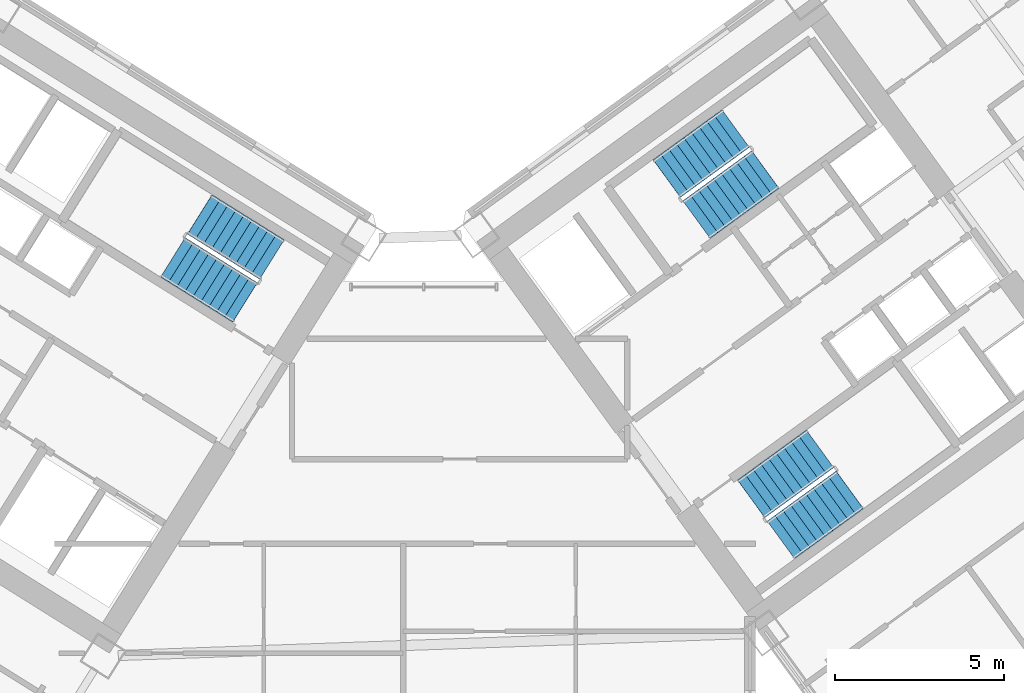
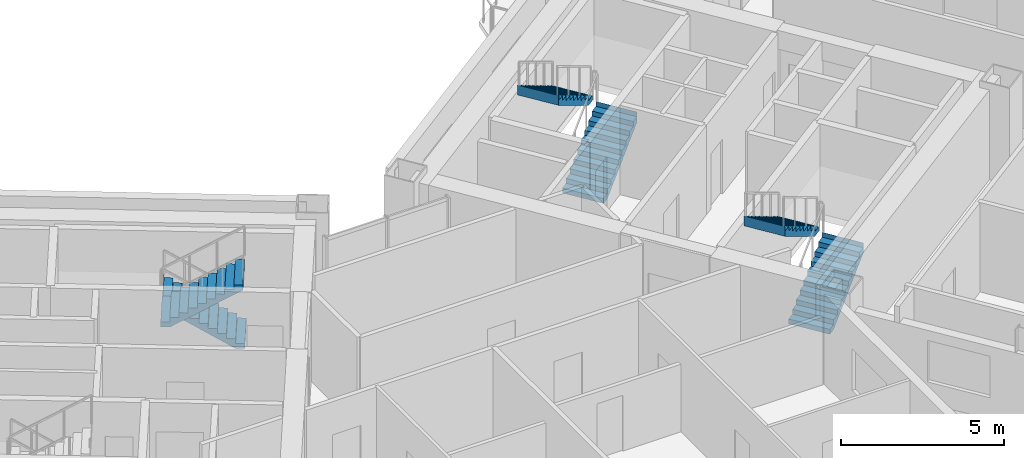
# One storey, part 20 of 28: 6 stair flights, 3 elements without a shape of their own.
"""IFC4 building model written with IfcOpenShell, lengths in metres."""

from ifc_helpers import new_model, si_unit, direction, frame, origin, place, context, subcontext, project, spatial, polyline, outline, extrude, source, transform, mapped, material, type_object, element, aggregate, save


model = new_model("IFC4")

# Units and contexts
model_context = context("Model", 3, precision=1e-05, world=origin(), true_north=direction((0.0, 1.0)))
body_context = subcontext(model_context, "Body", "Model", "MODEL_VIEW")
ifc_project = project(units=[si_unit("LENGTHUNIT", "METRE"), si_unit("AREAUNIT", "SQUARE_METRE"), si_unit("VOLUMEUNIT", "CUBIC_METRE"), si_unit("PLANEANGLEUNIT", "RADIAN"), si_unit("MASSUNIT", "GRAM", prefix="KILO")], contexts=[model_context])

# Site, building, storey
site_placement = place(None, origin())
site = spatial("IfcSite", under=ifc_project, at=site_placement, CompositionType="ELEMENT")
building_placement = place(site_placement, origin())
building = spatial("IfcBuilding", under=site, at=building_placement, Name="Tlacorven Tower", CompositionType="ELEMENT")
storey_placement = place(building_placement, frame((0.0, 0.0, 42.0)))
storey = spatial("IfcBuildingStorey", under=building, at=storey_placement, Name="L10", CompositionType="ELEMENT", Elevation=42.0)

# Stair, stair flights
ifc_material = material(Name="Concrete C40/50", Category="concrete")
stair_type = type_object("IfcStairType", Name="ST-CORE-DLG", PredefinedType="HALF_TURN_STAIR", material=ifc_material)
stair_1_placement = place(storey_placement, origin())
stair_1 = element("IfcStair", 1, at=stair_1_placement, inside=storey, type_object=stair_type, Name="L10 Protected Exit Stair West 2", PredefinedType="HALF_TURN_STAIR")
stair_flight_type = type_object("IfcStairFlightType", Name="SFL-RC-1380", PredefinedType="STRAIGHT", material=ifc_material)
shared_shape = source(origin(), body_context, "Body", "SweptSolid", [
    extrude(outline(polyline([(-0.0029296875, -0.0029296875), (-0.0029296875, 0.179931640625), (0.280029296875, 0.179931640625), (0.280029296875, 0.360107421875), (0.56005859375, 0.360107421875), (0.56005859375, 0.5400390625), (0.840087890625, 0.5400390625), (0.840087890625, 0.719970703125), (1.1201171875, 0.719970703125), (1.1201171875, 0.89990234375), (1.39990234375, 0.89990234375), (1.39990234375, 1.080078125), (1.679931640625, 1.080078125), (1.679931640625, 1.260009765625), (1.9599609375, 1.260009765625), (1.9599609375, 1.43994140625), (2.239990234375, 1.43994140625), (2.239990234375, 1.6201171875), (2.52001953125, 1.6201171875), (2.52001953125, 1.800048828125), (2.52294921875, 1.800048828125), (2.52294921875, 1.429931640625), (2.52001953125, 1.429931640625), (0.295654296875, 0.0), (0.295654296875, -0.0029296875), (-0.0029296875, -0.0029296875)])), frame((0.0, 0.68994140625, 0.0), z_axis=(0.0, -1.0, 0.0), x_axis=(1.0, 0.0, 0.0)), (0.0, 0.0, 1.0), 1.3798828125),
])
stair_flight_1_placement = place(storey_placement, frame((38.051513671875, 23.852294921875, 0.0), z_axis=(0.0, 0.0, 1.0), x_axis=(-0.848048096156, 0.529919264233, 0.0)))
stair_flight_1 = element("IfcStairFlight", 2, at=stair_flight_1_placement, type_object=stair_flight_type, Name="ST-W2 flight 1", NumberOfRisers=10, NumberOfTreads=9, PredefinedType="STRAIGHT", RiserHeight=0.18, TreadLength=0.28, context=body_context, shape_type="MappedRepresentation", body=[
    mapped(shared_shape, transform((0.0, 0.0, 0.0), scale=1.0)),
])
stair_flight_2_placement = place(storey_placement, frame((35.119384765625, 23.91552734375, 1.800048828125), z_axis=(0.0, 0.0, 1.0), x_axis=(0.848048096156, -0.529919264233, 0.0)))
stair_flight_2 = element("IfcStairFlight", 3, at=stair_flight_2_placement, type_object=stair_flight_type, Name="ST-W2 flight 2", NumberOfRisers=10, NumberOfTreads=9, PredefinedType="STRAIGHT", RiserHeight=0.18, TreadLength=0.28, context=body_context, shape_type="MappedRepresentation", body=[
    mapped(shared_shape, transform((0.0, 0.0, 0.0), scale=1.0)),
])
aggregate(stair_1, [stair_flight_1, stair_flight_2])

stair_2_placement = place(storey_placement, origin())
stair_2 = element("IfcStair", 4, at=stair_2_placement, inside=storey, type_object=stair_type, Name="L10 Protected Exit Stair East 1", PredefinedType="HALF_TURN_STAIR")
stair_flight_3_placement = place(storey_placement, frame((50.6533203125, 25.0400390625, 0.0), z_axis=(0.0, 0.0, 1.0), x_axis=(0.809016994375, 0.587785252292, 0.0)))
stair_flight_3 = element("IfcStairFlight", 5, at=stair_flight_3_placement, type_object=stair_flight_type, Name="ST-E1 flight 1", NumberOfRisers=10, NumberOfTreads=9, PredefinedType="STRAIGHT", RiserHeight=0.18, TreadLength=0.28, context=body_context, shape_type="MappedRepresentation", body=[
    mapped(shared_shape, transform((0.0, 0.0, 0.0), scale=1.0)),
])
stair_flight_4_placement = place(storey_placement, frame((51.810546875, 27.734619140625, 1.800048828125), z_axis=(0.0, 0.0, 1.0), x_axis=(-0.809016994375, -0.587785252292, 0.0)))
stair_flight_4 = element("IfcStairFlight", 6, at=stair_flight_4_placement, type_object=stair_flight_type, Name="ST-E1 flight 2", NumberOfRisers=10, NumberOfTreads=9, PredefinedType="STRAIGHT", RiserHeight=0.18, TreadLength=0.28, context=body_context, shape_type="MappedRepresentation", body=[
    mapped(shared_shape, transform((0.0, 0.0, 0.0), scale=1.0)),
])
aggregate(stair_2, [stair_flight_3, stair_flight_4])

stair_3_placement = place(storey_placement, origin())
stair_3 = element("IfcStair", 7, at=stair_3_placement, inside=storey, type_object=stair_type, Name="L10 Protected Exit Stair East 2", PredefinedType="HALF_TURN_STAIR")
stair_flight_5_placement = place(storey_placement, frame((53.157470703125, 15.536865234375, 0.0), z_axis=(0.0, 0.0, 1.0), x_axis=(0.809016994375, 0.587785252292, 0.0)))
stair_flight_5 = element("IfcStairFlight", 8, at=stair_flight_5_placement, type_object=stair_flight_type, Name="ST-E2 flight 1", NumberOfRisers=10, NumberOfTreads=9, PredefinedType="STRAIGHT", RiserHeight=0.18, TreadLength=0.28, context=body_context, shape_type="MappedRepresentation", body=[
    mapped(shared_shape, transform((0.0, 0.0, 0.0), scale=1.0)),
])
stair_flight_6_placement = place(storey_placement, frame((54.314453125, 18.231689453125, 1.800048828125), z_axis=(0.0, 0.0, 1.0), x_axis=(-0.809016994375, -0.587785252292, 0.0)))
stair_flight_6 = element("IfcStairFlight", 9, at=stair_flight_6_placement, type_object=stair_flight_type, Name="ST-E2 flight 2", NumberOfRisers=10, NumberOfTreads=9, PredefinedType="STRAIGHT", RiserHeight=0.18, TreadLength=0.28, context=body_context, shape_type="MappedRepresentation", body=[
    mapped(shared_shape, transform((0.0, 0.0, 0.0), scale=1.0)),
])
aggregate(stair_3, [stair_flight_5, stair_flight_6])

save(model, "model.ifc")
